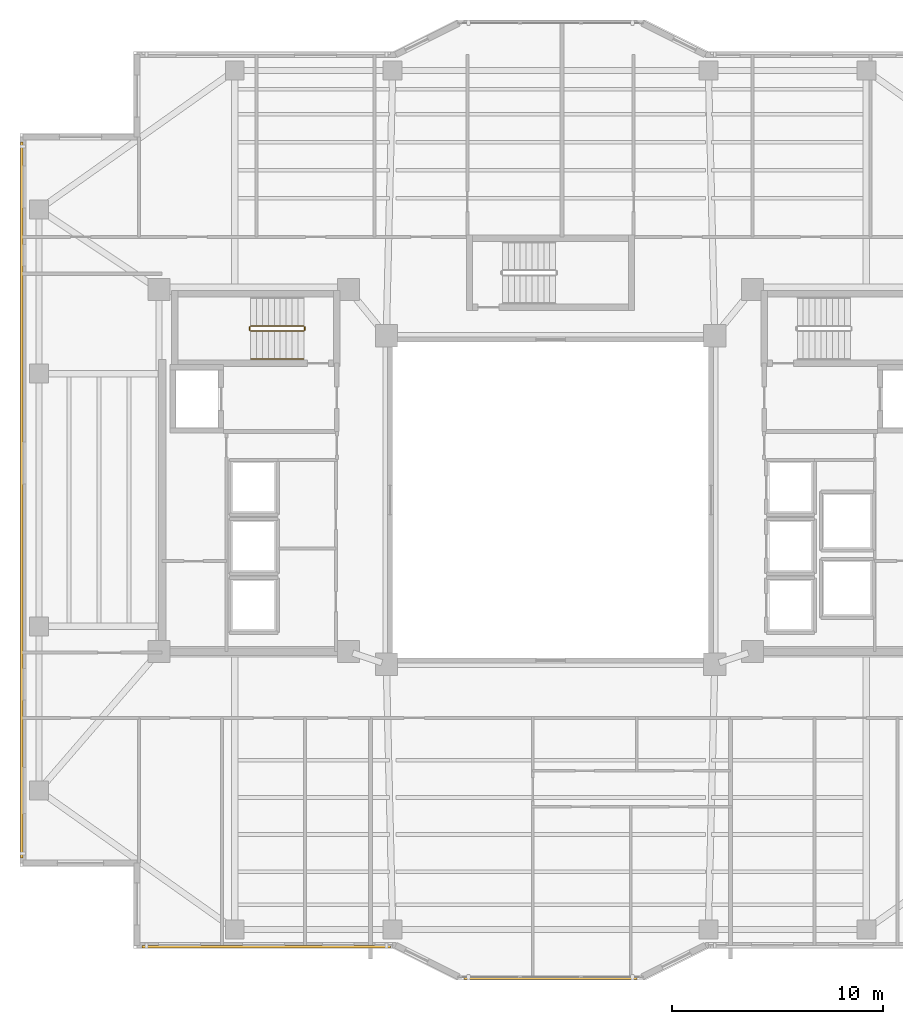
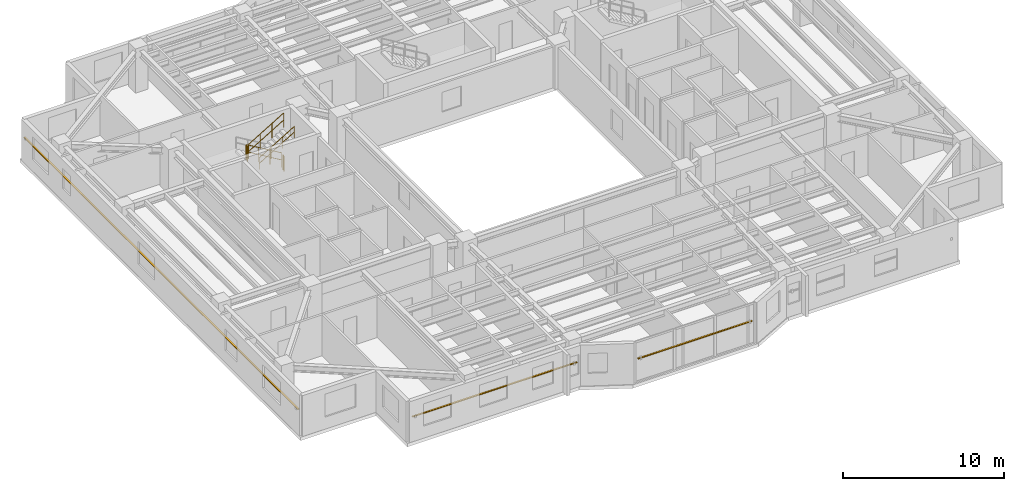
# One storey, part 13 of 15: 5 railings, 3 shading devices.
"""IFC4 building model written with IfcOpenShell, lengths in metres."""

from ifc_helpers import new_model, si_unit, direction, frame, origin, origin_2d, place, context, subcontext, project, spatial, rectangle, circle, extrude, material, material_profile, profile_set, type_object, element, save


model = new_model("IFC4")

# Units and contexts
model_context = context("Model", 3, precision=1e-05, world=origin(), true_north=direction((0.0, 1.0)))
body_context = subcontext(model_context, "Body", "Model", "MODEL_VIEW")
ifc_project = project(units=[si_unit("LENGTHUNIT", "METRE"), si_unit("AREAUNIT", "SQUARE_METRE"), si_unit("VOLUMEUNIT", "CUBIC_METRE"), si_unit("PLANEANGLEUNIT", "RADIAN"), si_unit("MASSUNIT", "GRAM", prefix="KILO")], contexts=[model_context])

# Site, building, storey
site_placement = place(None, origin())
site = spatial("IfcSite", under=ifc_project, at=site_placement, CompositionType="ELEMENT")
building_placement = place(site_placement, origin())
building = spatial("IfcBuilding", under=site, at=building_placement, Name="Tarnavaz Court Tower", CompositionType="ELEMENT")
storey_placement = place(building_placement, frame((0.0, 0.0, 139.300048828125)))
storey = spatial("IfcBuildingStorey", under=building, at=storey_placement, Name="L37", CompositionType="ELEMENT", Elevation=139.300048828125)

# Railings
ifc_material_1 = material(Name="Brushed Stainless Steel", Category="steel")
railing_type_1 = type_object("IfcRailingType", Name="RL-HANDRAIL-900", PredefinedType="HANDRAIL", material=ifc_material_1)
railing_1_placement = place(storey_placement, frame((-14.239990234375, 6.699951171875, 1.842529296875)))
element("IfcRailing", 1, at=railing_1_placement, inside=storey, type_object=railing_type_1, Name="L37 ST-W1 stair handrail 2", PredefinedType="HANDRAIL", context=body_context, shape_type="SweptSolid", body=[
    extrude(circle(Radius=0.02392578125, at=origin_2d()), frame((0.0, 0.0, 0.8759765625), z_axis=(0.858196387827, 0.0, 0.513321497621), x_axis=(0.0, 1.0, 0.0)), (0.0, 0.0, 1.0), 2.9365234375),
    extrude(circle(Radius=0.02392578125, at=origin_2d()), frame((0.0, 0.0, 0.449951171875), z_axis=(0.858196387827, 0.0, 0.513321497621), x_axis=(0.0, 1.0, 0.0)), (0.0, 0.0, 1.0), 2.9365234375),
    extrude(circle(Radius=0.02099609375, at=origin_2d()), origin(), (0.0, 0.0, 1.0), 0.851806640625),
    extrude(circle(Radius=0.02099609375, at=origin_2d()), frame((0.840087890625, 0.0, 0.50244140625)), (0.0, 0.0, 1.0), 0.851806640625),
    extrude(circle(Radius=0.02099609375, at=origin_2d()), frame((1.679931640625, 0.0, 1.0048828125)), (0.0, 0.0, 1.0), 0.851806640625),
    extrude(circle(Radius=0.02099609375, at=origin_2d()), frame((2.52001953125, 0.0, 1.50732421875)), (0.0, 0.0, 1.0), 0.851806640625),
])
ifc_material_2 = material(Name="Galvanized Painted Tubular Steel", Category="steel")
railing_type_2 = type_object("IfcRailingType", Name="RL-STGUARD-1120", PredefinedType="GUARDRAIL", material=ifc_material_2)
railing_2_placement = place(storey_placement, frame((-11.719970703125, 8.27001953125, 0.16748046875)))
element("IfcRailing", 2, at=railing_2_placement, inside=storey, type_object=railing_type_2, Name="L37 ST-W1 stair guard 1", PredefinedType="GUARDRAIL", context=body_context, shape_type="SweptSolid", body=[
    extrude(circle(Radius=0.02392578125, at=origin_2d()), frame((0.0, 0.0, 1.09619140625), z_axis=(-0.858159760407, 0.0, 0.513382728203), x_axis=(0.0, -1.0, 0.0)), (0.0, 0.0, 1.0), 2.9365234375),
    extrude(circle(Radius=0.02392578125, at=origin_2d()), frame((0.0, 0.0, 0.56005859375), z_axis=(-0.858159760407, 0.0, 0.513382728203), x_axis=(0.0, -1.0, 0.0)), (0.0, 0.0, 1.0), 2.9365234375),
    extrude(circle(Radius=0.02099609375, at=origin_2d()), origin(), (0.0, 0.0, 1.0), 1.072021484375),
    extrude(circle(Radius=0.02099609375, at=origin_2d()), frame((-0.840087890625, 0.0, 0.50244140625)), (0.0, 0.0, 1.0), 1.072021484375),
    extrude(circle(Radius=0.02099609375, at=origin_2d()), frame((-1.679931640625, 0.0, 1.005126953125)), (0.0, 0.0, 1.0), 1.072021484375),
    extrude(circle(Radius=0.02099609375, at=origin_2d()), frame((-2.52001953125, 0.0, 1.507568359375)), (0.0, 0.0, 1.0), 1.072021484375),
])
railing_3_placement = place(storey_placement, frame((-14.2900390625, 8.219970703125, 1.675048828125)))
element("IfcRailing", 3, at=railing_3_placement, inside=storey, type_object=railing_type_2, Name="L37 ST-W1 stair guard 2", PredefinedType="GUARDRAIL", context=body_context, shape_type="SweptSolid", body=[
    extrude(circle(Radius=0.02392578125, at=origin_2d()), frame((0.0, 0.0, 1.09619140625), z_axis=(0.0, -1.0, 0.0), x_axis=(1.0, 0.0, 0.0)), (0.0, 0.0, 1.0), 0.14990234375),
    extrude(circle(Radius=0.02392578125, at=origin_2d()), frame((0.0, 0.0, 0.56005859375), z_axis=(0.0, -1.0, 0.0), x_axis=(1.0, 0.0, 0.0)), (0.0, 0.0, 1.0), 0.14990234375),
    extrude(circle(Radius=0.02099609375, at=origin_2d()), origin(), (0.0, 0.0, 1.0), 1.072021484375),
    extrude(circle(Radius=0.02099609375, at=origin_2d()), frame((0.0, -0.14990234375, 0.0)), (0.0, 0.0, 1.0), 1.072021484375),
])
railing_4_placement = place(storey_placement, frame((-14.239990234375, 8.02001953125, 1.842529296875)))
element("IfcRailing", 4, at=railing_4_placement, inside=storey, type_object=railing_type_2, Name="L37 ST-W1 stair guard 3", PredefinedType="GUARDRAIL", context=body_context, shape_type="SweptSolid", body=[
    extrude(circle(Radius=0.02392578125, at=origin_2d()), frame((0.0, 0.0, 1.09619140625), z_axis=(0.858196387827, 0.0, 0.513321497621), x_axis=(0.0, 1.0, 0.0)), (0.0, 0.0, 1.0), 2.9365234375),
    extrude(circle(Radius=0.02392578125, at=origin_2d()), frame((0.0, 0.0, 0.56005859375), z_axis=(0.858196387827, 0.0, 0.513321497621), x_axis=(0.0, 1.0, 0.0)), (0.0, 0.0, 1.0), 2.9365234375),
    extrude(circle(Radius=0.02099609375, at=origin_2d()), origin(), (0.0, 0.0, 1.0), 1.072021484375),
    extrude(circle(Radius=0.02099609375, at=origin_2d()), frame((0.840087890625, 0.0, 0.50244140625)), (0.0, 0.0, 1.0), 1.072021484375),
    extrude(circle(Radius=0.02099609375, at=origin_2d()), frame((1.679931640625, 0.0, 1.0048828125)), (0.0, 0.0, 1.0), 1.072021484375),
    extrude(circle(Radius=0.02099609375, at=origin_2d()), frame((2.52001953125, 0.0, 1.50732421875)), (0.0, 0.0, 1.0), 1.072021484375),
])
railing_5_placement = place(storey_placement, frame((-11.669921875, 8.219970703125, 0.0)))
element("IfcRailing", 5, at=railing_5_placement, inside=storey, type_object=railing_type_2, Name="L37 ST-W1 stair guard 4", PredefinedType="GUARDRAIL", context=body_context, shape_type="SweptSolid", body=[
    extrude(circle(Radius=0.02392578125, at=origin_2d()), frame((0.0, 0.0, 1.09619140625), z_axis=(0.0, -1.0, 0.0), x_axis=(1.0, 0.0, 0.0)), (0.0, 0.0, 1.0), 0.14990234375),
    extrude(circle(Radius=0.02392578125, at=origin_2d()), frame((0.0, 0.0, 0.56005859375), z_axis=(0.0, -1.0, 0.0), x_axis=(1.0, 0.0, 0.0)), (0.0, 0.0, 1.0), 0.14990234375),
    extrude(circle(Radius=0.02099609375, at=origin_2d()), origin(), (0.0, 0.0, 1.0), 1.072021484375),
    extrude(circle(Radius=0.02099609375, at=origin_2d()), frame((0.0, -0.14990234375, 0.0)), (0.0, 0.0, 1.0), 1.072021484375),
])

# Shading devices
ifc_material_3 = material(Name="Kiln-Fired Khorasan Terracotta Ceramic", Category="masonry")
ifc_material_profile = material_profile(ifc_material_3, rectangle(XDim=0.1201171875, YDim=0.06005859375, at=origin_2d()), Name="TC BAGUETTE 120X60")
ifc_profile_set = profile_set([ifc_material_profile], Name="Kiln-Fired Khorasan Terracotta Ceramic")
shading_device_type = type_object("IfcShadingDeviceType", Name="SD-BAG-120", PredefinedType="USERDEFINED", material=ifc_profile_set)
shading_device_1_placement = place(storey_placement, frame((-25.110107421875, -17.0, 1.849853515625), z_axis=(0.0, 1.0, 0.0), x_axis=(-1.0, 0.0, 0.0)))
element("IfcShadingDevice", 6, at=shading_device_1_placement, inside=storey, type_object=shading_device_type, Name="L37 Terracotta Baguette Screen FBG02", ObjectType="BAGUETTE", PredefinedType="USERDEFINED", context=body_context, shape_type="SweptSolid", body=[
    extrude(rectangle(XDim=0.1201171875, YDim=0.06005859375, at=origin_2d()), origin(), (0.0, 0.0, 1.0), 34.0),
])
shading_device_2_placement = place(storey_placement, frame((4.10009765625, -22.7099609375, 1.800048828125), z_axis=(-1.0, 0.0, 0.0), x_axis=(0.0, -1.0, 0.0)))
element("IfcShadingDevice", 7, at=shading_device_2_placement, inside=storey, type_object=shading_device_type, Name="L37 Terracotta Baguette Screen PBG17", ObjectType="BAGUETTE", PredefinedType="USERDEFINED", context=body_context, shape_type="SweptSolid", body=[
    extrude(rectangle(XDim=0.1201171875, YDim=0.06005859375, at=origin_2d()), origin(), (0.0, 0.0, 1.0), 8.2001953125),
])
shading_device_3_placement = place(storey_placement, frame((-7.60009765625, -21.2099609375, 1.849853515625), z_axis=(-1.0, 0.0, 0.0), x_axis=(0.0, -1.0, 0.0)))
element("IfcShadingDevice", 8, at=shading_device_3_placement, inside=storey, type_object=shading_device_type, Name="L37 Terracotta Baguette Screen FBG19", ObjectType="BAGUETTE", PredefinedType="USERDEFINED", context=body_context, shape_type="SweptSolid", body=[
    extrude(rectangle(XDim=0.1201171875, YDim=0.06005859375, at=origin_2d()), origin(), (0.0, 0.0, 1.0), 11.7998046875),
])

save(model, "model.ifc")
